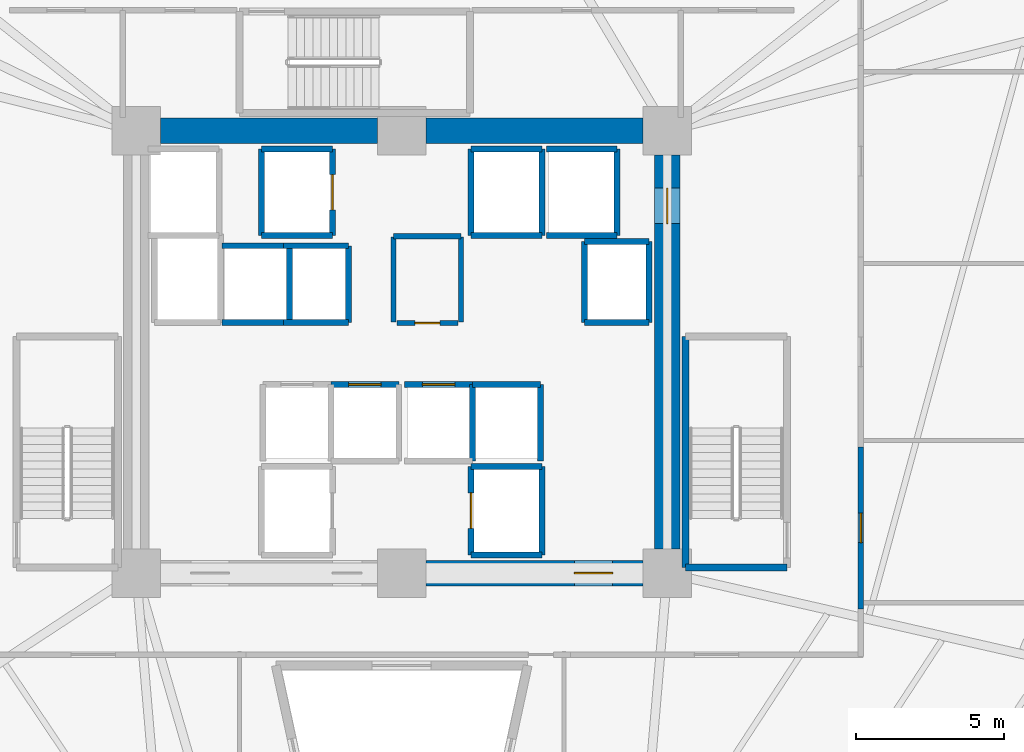
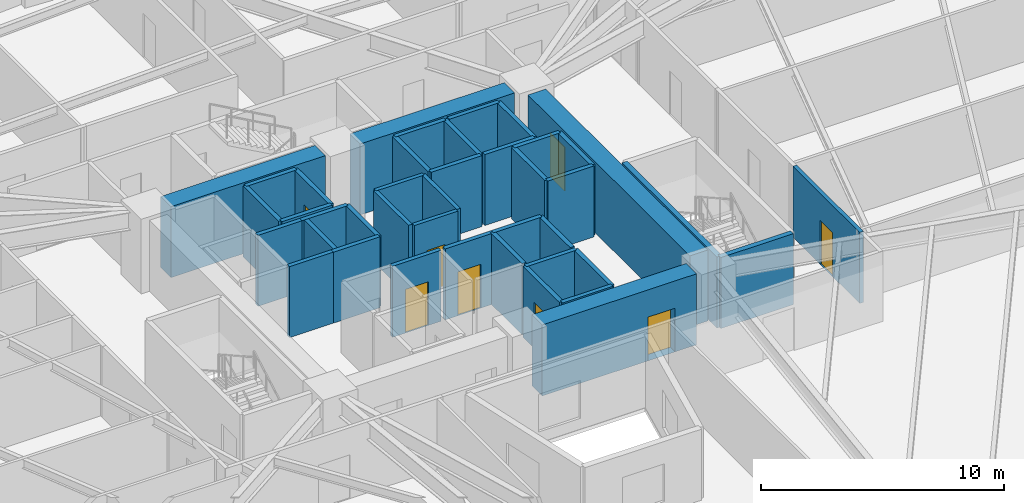
# One storey, part 5 of 9: 41 walls, 8 doors, 8 openings.
"""IFC4 building model written with IfcOpenShell, lengths in metres."""

from ifc_helpers import new_model, si_unit, direction, frame, frame_2d, origin, place, context, subcontext, project, spatial, rectangle, extrude, source, transform, mapped, material, layer, layer_set, type_object, element, fill, save


model = new_model("IFC4")

# Units and contexts
model_context = context("Model", 3, precision=1e-05, world=origin(), true_north=direction((0.0, 1.0)))
body_context = subcontext(model_context, "Body", "Model", "MODEL_VIEW")
ifc_project = project(units=[si_unit("LENGTHUNIT", "METRE"), si_unit("AREAUNIT", "SQUARE_METRE"), si_unit("VOLUMEUNIT", "CUBIC_METRE"), si_unit("PLANEANGLEUNIT", "RADIAN"), si_unit("MASSUNIT", "GRAM", prefix="KILO")], contexts=[model_context])

# Site, building, storey
site_placement = place(None, origin())
site = spatial("IfcSite", under=ifc_project, at=site_placement, CompositionType="ELEMENT")
building_placement = place(site_placement, origin())
building = spatial("IfcBuilding", under=site, at=building_placement, Name="Liaohun Quay Tower", CompositionType="ELEMENT")
storey_placement = place(building_placement, frame((0.0, 0.0, 74.25)))
storey = spatial("IfcBuildingStorey", under=building, at=storey_placement, Name="L19", CompositionType="ELEMENT", Elevation=74.25)

# Walls
ifc_material_1 = material(Name="Concrete C60", Category="concrete")
ifc_layer_1 = layer(ifc_material_1, 0.85009765625, Name="Concrete C60", Category="concrete")
ifc_layer_set_1 = layer_set([ifc_layer_1], Name="Concrete C60")
wall_type_1 = type_object("IfcWallType", Name="WAL-COR-Z1", PredefinedType="SHEAR", material=ifc_layer_set_1)
for number, where, z_axis, x_axis, name in (
    (1, (51.824951171875, 61.5, 0.0), (0.0, 0.0, 1.0), (1.0, 0.0, 0.0), "L19 Central Core Shear Wall N-W"),
    (2, (60.824951171875, 61.5, 0.0), (0.0, 0.0, 1.0), (1.0, 0.0, 0.0), "L19 Central Core Shear Wall N-E"),
):
    element("IfcWall", number, at=place(storey_placement, frame(where, z_axis=z_axis, x_axis=x_axis)), inside=storey, type_object=wall_type_1, Name=name, PredefinedType="SHEAR", context=body_context, shape_type="SweptSolid", body=[
        extrude(rectangle(XDim=7.35009765625, YDim=0.85009765625, at=frame_2d((3.675048828125, 0.0))), origin(), (0.0, 0.0, 1.0), 3.570068359375),
    ])

# Wall, opening, door
wall_1_placement = place(storey_placement, frame((69.0, 60.675048828125, 0.0), z_axis=(0.0, 0.0, 1.0), x_axis=(0.0, -1.0, 0.0)))
wall_1 = element("IfcWall", 3, at=wall_1_placement, inside=storey, type_object=wall_type_1, Name="L19 Central Core Shear Wall E", PredefinedType="SHEAR", context=body_context, shape_type="SweptSolid", body=[
    extrude(rectangle(XDim=13.35009765625, YDim=0.85009765625, at=frame_2d((6.675048828125, 0.0))), origin(), (0.0, 0.0, 1.0), 3.570068359375),
])
shared_shape_1 = source(origin(), body_context, "Body", "SweptSolid", [
    extrude(rectangle(XDim=1.199951171875, YDim=2.199951171875, at=frame_2d((0.60009765625, 1.10009765625))), frame((0.0, 0.43505859375, 0.0), z_axis=(0.0, -1.0, 0.0), x_axis=(1.0, 0.0, 0.0)), (0.0, 0.0, 1.0), 0.8701171875),
])
opening_1_placement = place(wall_1_placement, frame((1.125, 0.0, 0.0)))
opening_1 = element("IfcOpeningElement", 4, at=opening_1_placement, cuts=wall_1, Name="Opening SD1", PredefinedType="OPENING", context=body_context, shape_type="MappedRepresentation", body=[
    mapped(shared_shape_1, transform((0.0, 0.0, 0.0), x_axis=(1.0, 0.0, 0.0), y_axis=(0.0, 1.0, 0.0), z_axis=(0.0, 0.0, 1.0), scale=1.0)),
])
ifc_material_2 = material(Name="Galvanised steel fire door", Category="steel")
door_type_1 = type_object("IfcDoorType", Name="DOR-STR-1200", OperationType="NOTDEFINED", PredefinedType="DOOR", material=ifc_material_2)
shared_shape_2 = source(origin(), body_context, "Body", "SweptSolid", [
    extrude(rectangle(XDim=1.199951171875, YDim=2.199951171875, at=frame_2d((0.60009765625, 1.10009765625))), frame((0.0, 0.02490234375, 0.0), z_axis=(0.0, -1.0, 0.0), x_axis=(1.0, 0.0, 0.0)), (0.0, 0.0, 1.0), 0.050048828125),
])
door_1_placement = place(opening_1_placement, origin())
door_1 = element("IfcDoor", 5, at=door_1_placement, inside=storey, type_object=door_type_1, Name="L19 North-East Core Lobby Smokeproof Door", OperationType="SINGLE_SWING_LEFT", OverallHeight=2.199951171875, OverallWidth=1.199951171875, PredefinedType="DOOR", context=body_context, shape_type="MappedRepresentation", body=[
    mapped(shared_shape_2, transform((0.0, 0.0, 0.0), x_axis=(1.0, 0.0, 0.0), y_axis=(0.0, 1.0, 0.0), z_axis=(0.0, 0.0, 1.0), scale=1.0)),
])
fill(opening_1, door_1)

wall_2_placement = place(storey_placement, frame((68.175048828125, 46.5, 0.0), z_axis=(0.0, 0.0, 1.0), x_axis=(-1.0, 0.0, 0.0)))
wall_2 = element("IfcWall", 6, at=wall_2_placement, inside=storey, type_object=wall_type_1, Name="L19 Central Core Shear Wall S-E", PredefinedType="SHEAR", context=body_context, shape_type="SweptSolid", body=[
    extrude(rectangle(XDim=7.35009765625, YDim=0.85009765625, at=frame_2d((3.675048828125, 0.0))), origin(), (0.0, 0.0, 1.0), 3.570068359375),
])
shared_shape_3 = source(origin(), body_context, "Body", "SweptSolid", [
    extrude(rectangle(XDim=1.300048828125, YDim=2.199951171875, at=frame_2d((0.64990234375, 1.10009765625))), frame((0.0, 0.43505859375, 0.0), z_axis=(0.0, -1.0, 0.0), x_axis=(1.0, 0.0, 0.0)), (0.0, 0.0, 1.0), 0.8701171875),
])
opening_2_placement = place(wall_2_placement, frame((1.02490234375, 0.0, 0.0)))
opening_2 = element("IfcOpeningElement", 7, at=opening_2_placement, cuts=wall_2, Name="Opening FD1", PredefinedType="OPENING", context=body_context, shape_type="MappedRepresentation", body=[
    mapped(shared_shape_3, transform((0.0, 0.0, 0.0), x_axis=(1.0, 0.0, 0.0), y_axis=(0.0, 1.0, 0.0), z_axis=(0.0, 0.0, 1.0), scale=1.0)),
])
ifc_material_3 = material(Name="Galvanised steel smokeproof fire door", Category="steel")
door_type_2 = type_object("IfcDoorType", Name="DOR-FFL-1300", OperationType="NOTDEFINED", PredefinedType="DOOR", material=ifc_material_3)
shared_shape_4 = source(origin(), body_context, "Body", "SweptSolid", [
    extrude(rectangle(XDim=1.300048828125, YDim=2.199951171875, at=frame_2d((0.64990234375, 1.10009765625))), frame((0.0, 0.02490234375, 0.0), z_axis=(0.0, -1.0, 0.0), x_axis=(1.0, 0.0, 0.0)), (0.0, 0.0, 1.0), 0.050048828125),
])
door_2_placement = place(opening_2_placement, origin())
door_2 = element("IfcDoor", 8, at=door_2_placement, inside=storey, type_object=door_type_2, Name="L19 East Core Lift Lobby Smokeproof Door", OperationType="SINGLE_SWING_LEFT", OverallHeight=2.199951171875, OverallWidth=1.300048828125, PredefinedType="DOOR", context=body_context, shape_type="MappedRepresentation", body=[
    mapped(shared_shape_4, transform((0.0, 0.0, 0.0), x_axis=(1.0, 0.0, 0.0), y_axis=(0.0, 1.0, 0.0), z_axis=(0.0, 0.0, 1.0), scale=1.0)),
])
fill(opening_2, door_2)

ifc_material_4 = material(Name="Autoclaved aerated concrete blockwork", Category="masonry")
ifc_layer_2 = layer(ifc_material_4, 0.179931640625, Name="Autoclaved aerated concrete blockwork", Category="masonry")
ifc_layer_set_2 = layer_set([ifc_layer_2], Name="Autoclaved aerated concrete blockwork")
wall_type_2 = type_object("IfcWallType", Name="WAL-PRT-COR", PredefinedType="PARTITIONING", material=ifc_layer_set_2)
wall_3_placement = place(storey_placement, frame((59.840087890625, 54.97998046875, 0.0), z_axis=(0.0, 0.0, 1.0), x_axis=(1.0, 0.0, 0.0)))
wall_3 = element("IfcWall", 9, at=wall_3_placement, inside=storey, type_object=wall_type_2, Name="L19 Interior Partition Wall 001", PredefinedType="PARTITIONING", context=body_context, shape_type="SweptSolid", body=[
    extrude(rectangle(XDim=2.059814453125, YDim=0.179931640625, at=frame_2d((1.02978515625, 0.0))), origin(), (0.0, 0.0, 1.0), 3.570068359375),
])
shared_shape_5 = source(origin(), body_context, "Body", "SweptSolid", [
    extrude(rectangle(XDim=0.85009765625, YDim=2.10009765625, at=frame_2d((0.425048828125, 1.050048828125))), frame((0.0, 0.099853515625, 0.0), z_axis=(0.0, -1.0, 0.0), x_axis=(1.0, 0.0, 0.0)), (0.0, 0.0, 1.0), 0.199951171875),
])
opening_3_placement = place(wall_3_placement, frame((0.60498046875, 0.0, 0.0)))
opening_3 = element("IfcOpeningElement", 10, at=opening_3_placement, cuts=wall_3, Name="Opening AD1", PredefinedType="OPENING", context=body_context, shape_type="MappedRepresentation", body=[
    mapped(shared_shape_5, transform((0.0, 0.0, 0.0), x_axis=(1.0, 0.0, 0.0), y_axis=(0.0, 1.0, 0.0), z_axis=(0.0, 0.0, 1.0), scale=1.0)),
])
ifc_material_5 = material(Name="Steel riser inspection fire door", Category="steel")
door_type_3 = type_object("IfcDoorType", Name="DOR-SHF-850", OperationType="NOTDEFINED", PredefinedType="DOOR", material=ifc_material_5)
shared_shape_6 = source(origin(), body_context, "Body", "SweptSolid", [
    extrude(rectangle(XDim=0.85009765625, YDim=2.10009765625, at=frame_2d((0.425048828125, 1.050048828125))), frame((0.0, 0.02490234375, 0.0), z_axis=(0.0, -1.0, 0.0), x_axis=(1.0, 0.0, 0.0)), (0.0, 0.0, 1.0), 0.050048828125),
])
door_3_placement = place(opening_3_placement, origin())
door_3 = element("IfcDoor", 11, at=door_3_placement, inside=storey, type_object=door_type_3, Name="L19 Core Electrical and Telecom Riser Room Door", OperationType="SINGLE_SWING_LEFT", OverallHeight=2.10009765625, OverallWidth=0.85009765625, PredefinedType="DOOR", context=body_context, shape_type="MappedRepresentation", body=[
    mapped(shared_shape_6, transform((0.0, 0.0, 0.0), x_axis=(1.0, 0.0, 0.0), y_axis=(0.0, 1.0, 0.0), z_axis=(0.0, 0.0, 1.0), scale=1.0)),
])
fill(opening_3, door_3)

wall_4_placement = place(storey_placement, frame((75.56005859375, 50.784912109375, 0.0), z_axis=(0.0, 0.0, 1.0), x_axis=(0.0, -1.0, 0.0)))
wall_4 = element("IfcWall", 12, at=wall_4_placement, inside=storey, type_object=wall_type_2, Name="L19 Interior Partition Wall 022", PredefinedType="PARTITIONING", context=body_context, shape_type="SweptSolid", body=[
    extrude(rectangle(XDim=5.5, YDim=0.179931640625, at=frame_2d((2.75, 0.0))), origin(), (0.0, 0.0, 1.0), 3.570068359375),
])
shared_shape_7 = source(origin(), body_context, "Body", "SweptSolid", [
    extrude(rectangle(XDim=1.0, YDim=2.199951171875, at=frame_2d((0.5, 1.10009765625))), frame((0.0, 0.099853515625, 0.0), z_axis=(0.0, -1.0, 0.0), x_axis=(1.0, 0.0, 0.0)), (0.0, 0.0, 1.0), 0.199951171875),
])
opening_4_placement = place(wall_4_placement, frame((2.25, 0.0, 0.0)))
opening_4 = element("IfcOpeningElement", 13, at=opening_4_placement, cuts=wall_4, Name="Opening OD1", PredefinedType="OPENING", context=body_context, shape_type="MappedRepresentation", body=[
    mapped(shared_shape_7, transform((0.0, 0.0, 0.0), x_axis=(1.0, 0.0, 0.0), y_axis=(0.0, 1.0, 0.0), z_axis=(0.0, 0.0, 1.0), scale=1.0)),
])
ifc_material_6 = material(Name="Solid-core oak veneer timber leaf in steel frame", Category="steel")
door_type_4 = type_object("IfcDoorType", Name="DOR-OFF-1000", OperationType="NOTDEFINED", PredefinedType="DOOR", material=ifc_material_6)
shared_shape_8 = source(origin(), body_context, "Body", "SweptSolid", [
    extrude(rectangle(XDim=1.0, YDim=2.199951171875, at=frame_2d((0.5, 1.10009765625))), frame((0.0, 0.02490234375, 0.0), z_axis=(0.0, -1.0, 0.0), x_axis=(1.0, 0.0, 0.0)), (0.0, 0.0, 1.0), 0.050048828125),
])
door_4_placement = place(opening_4_placement, origin())
door_4 = element("IfcDoor", 14, at=door_4_placement, inside=storey, type_object=door_type_4, Name="L19 Project Operations Office 14 Door", OperationType="SINGLE_SWING_RIGHT", OverallHeight=2.199951171875, OverallWidth=1.0, PredefinedType="DOOR", context=body_context, shape_type="MappedRepresentation", body=[
    mapped(shared_shape_8, transform((0.0, 0.0, 0.0), x_axis=(1.0, 0.0, 0.0), y_axis=(0.0, 1.0, 0.0), z_axis=(0.0, 0.0, 1.0), scale=1.0)),
])
fill(opening_4, door_4)

# Walls
for number, where, z_axis, x_axis, name in (
    (15, (59.719970703125, 55.02001953125, 0.0), (0.0, 0.0, 1.0), (0.0, 1.0, 0.0), "L19 Interior Partition Wall 023"),
    (16, (62.010009765625, 55.02001953125, 0.0), (0.0, 0.0, 1.0), (0.0, 1.0, 0.0), "L19 Interior Partition Wall 024"),
):
    element("IfcWall", number, at=place(storey_placement, frame(where, z_axis=z_axis, x_axis=x_axis)), inside=storey, type_object=wall_type_2, Name=name, PredefinedType="PARTITIONING", context=body_context, shape_type="SweptSolid", body=[
        extrude(rectangle(XDim=2.8798828125, YDim=0.179931640625, at=frame_2d((1.43994140625, 0.0))), origin(), (0.0, 0.0, 1.0), 3.570068359375),
    ])
wall_5_placement = place(storey_placement, frame((59.719970703125, 57.919921875, 0.0), z_axis=(0.0, 0.0, 1.0), x_axis=(1.0, 0.0, 0.0)))
element("IfcWall", 17, at=wall_5_placement, inside=storey, type_object=wall_type_2, Name="L19 Interior Partition Wall 025", PredefinedType="PARTITIONING", context=body_context, shape_type="SweptSolid", body=[
    extrude(rectangle(XDim=2.2900390625, YDim=0.179931640625, at=frame_2d((1.14501953125, 0.0))), origin(), (0.0, 0.0, 1.0), 3.570068359375),
])
ifc_material_7 = material(Name="Concrete C50", Category="concrete")
ifc_layer_3 = layer(ifc_material_7, 0.239990234375, Name="Concrete C50", Category="concrete")
ifc_layer_set_3 = layer_set([ifc_layer_3], Name="Concrete C50")
wall_type_3 = type_object("IfcWallType", Name="WAL-SHF-200", PredefinedType="SOLIDWALL", material=ifc_layer_set_3)
wall_6_placement = place(storey_placement, frame((69.6201171875, 46.699951171875, 0.0), z_axis=(0.0, 0.0, 1.0), x_axis=(1.0, 0.0, 0.0)))
element("IfcWall", 18, at=wall_6_placement, inside=storey, type_object=wall_type_3, Name="L19 Stairwell ST-2 Structural Core Wall S", PredefinedType="SOLIDWALL", context=body_context, shape_type="SweptSolid", body=[
    extrude(rectangle(XDim=3.43994140625, YDim=0.239990234375, at=frame_2d((1.719970703125, 0.0))), origin(), (0.0, 0.0, 1.0), 3.570068359375),
])
wall_7_placement = place(storey_placement, frame((69.6201171875, 54.52001953125, 0.0), z_axis=(0.0, 0.0, 1.0), x_axis=(0.0, -1.0, 0.0)))
element("IfcWall", 19, at=wall_7_placement, inside=storey, type_object=wall_type_3, Name="L19 Stairwell ST-2 Structural Core Wall W", PredefinedType="SOLIDWALL", context=body_context, shape_type="SweptSolid", body=[
    extrude(rectangle(XDim=7.820068359375, YDim=0.239990234375, at=frame_2d((3.91015625, 0.0))), origin(), (0.0, 0.0, 1.0), 3.570068359375),
])
wall_8_placement = place(storey_placement, frame((62.35009765625, 47.1201171875, 0.0), z_axis=(0.0, 0.0, 1.0), x_axis=(1.0, 0.0, 0.0)))
element("IfcWall", 20, at=wall_8_placement, inside=storey, type_object=wall_type_3, Name="L19 Lift FF-02 Hoistway Wall S", PredefinedType="SOLIDWALL", context=body_context, shape_type="SweptSolid", body=[
    extrude(rectangle(XDim=2.39990234375, YDim=0.199951171875, at=frame_2d((1.199951171875, 0.0))), origin(), (0.0, 0.0, 1.0), 3.570068359375),
])
wall_9_placement = place(storey_placement, frame((64.75, 47.1201171875, 0.0), z_axis=(0.0, 0.0, 1.0), x_axis=(0.0, 1.0, 0.0)))
element("IfcWall", 21, at=wall_9_placement, inside=storey, type_object=wall_type_3, Name="L19 Lift FF-02 Hoistway Wall E", PredefinedType="SOLIDWALL", context=body_context, shape_type="SweptSolid", body=[
    extrude(rectangle(XDim=3.0, YDim=0.199951171875, at=frame_2d((1.5, 0.0))), origin(), (0.0, 0.0, 1.0), 3.570068359375),
])
wall_10_placement = place(storey_placement, frame((64.75, 50.1201171875, 0.0), z_axis=(0.0, 0.0, 1.0), x_axis=(-1.0, 0.0, 0.0)))
element("IfcWall", 22, at=wall_10_placement, inside=storey, type_object=wall_type_3, Name="L19 Lift FF-02 Hoistway Wall N", PredefinedType="SOLIDWALL", context=body_context, shape_type="SweptSolid", body=[
    extrude(rectangle(XDim=2.39990234375, YDim=0.199951171875, at=frame_2d((1.199951171875, 0.0))), origin(), (0.0, 0.0, 1.0), 3.570068359375),
])

# Wall, opening, door
wall_11_placement = place(storey_placement, frame((62.35009765625, 50.1201171875, 0.0), z_axis=(0.0, 0.0, 1.0), x_axis=(0.0, -1.0, 0.0)))
wall_11 = element("IfcWall", 23, at=wall_11_placement, inside=storey, type_object=wall_type_3, Name="L19 Lift FF-02 Hoistway Wall W", PredefinedType="SOLIDWALL", context=body_context, shape_type="SweptSolid", body=[
    extrude(rectangle(XDim=3.0, YDim=0.199951171875, at=frame_2d((1.5, 0.0))), origin(), (0.0, 0.0, 1.0), 3.570068359375),
])
shared_shape_9 = source(origin(), body_context, "Body", "SweptSolid", [
    extrude(rectangle(XDim=1.199951171875, YDim=2.300048828125, at=frame_2d((0.60009765625, 1.14990234375))), frame((0.0, 0.10986328125, 0.0), z_axis=(0.0, -1.0, 0.0), x_axis=(1.0, 0.0, 0.0)), (0.0, 0.0, 1.0), 0.219970703125),
])
opening_5_placement = place(wall_11_placement, frame((0.89990234375, 0.0, 0.0)))
opening_5 = element("IfcOpeningElement", 24, at=opening_5_placement, cuts=wall_11, Name="Opening LD2", PredefinedType="OPENING", context=body_context, shape_type="MappedRepresentation", body=[
    mapped(shared_shape_9, transform((0.0, 0.0, 0.0), x_axis=(1.0, 0.0, 0.0), y_axis=(0.0, 1.0, 0.0), z_axis=(0.0, 0.0, 1.0), scale=1.0)),
])
ifc_material_8 = material(Name="Brushed stainless steel stretcher landing door", Category="steel")
door_type_5 = type_object("IfcDoorType", Name="DOR-LFT-1200", OperationType="SLIDING_TO_LEFT", PredefinedType="DOOR", material=ifc_material_8)
shared_shape_10 = source(origin(), body_context, "Body", "SweptSolid", [
    extrude(rectangle(XDim=1.199951171875, YDim=2.300048828125, at=frame_2d((0.60009765625, 1.14990234375))), frame((0.0, 0.02490234375, 0.0), z_axis=(0.0, -1.0, 0.0), x_axis=(1.0, 0.0, 0.0)), (0.0, 0.0, 1.0), 0.050048828125),
])
door_5_placement = place(opening_5_placement, origin())
door_5 = element("IfcDoor", 25, at=door_5_placement, inside=storey, type_object=door_type_5, Name="L19 Lift FF-02 Sliding Landing Door", OperationType="SLIDING_TO_LEFT", OverallHeight=2.300048828125, OverallWidth=1.199951171875, PredefinedType="DOOR", context=body_context, shape_type="MappedRepresentation", body=[
    mapped(shared_shape_10, transform((0.0, 0.0, 0.0), x_axis=(1.0, 0.0, 0.0), y_axis=(0.0, 1.0, 0.0), z_axis=(0.0, 0.0, 1.0), scale=1.0)),
])
fill(opening_5, door_5)

# Wall
wall_12_placement = place(storey_placement, frame((55.25, 57.949951171875, 0.0), z_axis=(0.0, 0.0, 1.0), x_axis=(1.0, 0.0, 0.0)))
element("IfcWall", 26, at=wall_12_placement, inside=storey, type_object=wall_type_3, Name="L19 Lift FF-03 Hoistway Wall S", PredefinedType="SOLIDWALL", context=body_context, shape_type="SweptSolid", body=[
    extrude(rectangle(XDim=2.39990234375, YDim=0.199951171875, at=frame_2d((1.199951171875, 0.0))), origin(), (0.0, 0.0, 1.0), 3.570068359375),
])

# Wall, opening, door
wall_13_placement = place(storey_placement, frame((57.64990234375, 57.949951171875, 0.0), z_axis=(0.0, 0.0, 1.0), x_axis=(0.0, 1.0, 0.0)))
wall_13 = element("IfcWall", 27, at=wall_13_placement, inside=storey, type_object=wall_type_3, Name="L19 Lift FF-03 Hoistway Wall E", PredefinedType="SOLIDWALL", context=body_context, shape_type="SweptSolid", body=[
    extrude(rectangle(XDim=2.929931640625, YDim=0.199951171875, at=frame_2d((1.46484375, 0.0))), origin(), (0.0, 0.0, 1.0), 3.570068359375),
])
opening_6_placement = place(wall_13_placement, frame((0.864990234375, 0.0, 0.0)))
opening_6 = element("IfcOpeningElement", 28, at=opening_6_placement, cuts=wall_13, Name="Opening LD2", PredefinedType="OPENING", context=body_context, shape_type="MappedRepresentation", body=[
    mapped(shared_shape_9, transform((0.0, 0.0, 0.0), x_axis=(1.0, 0.0, 0.0), y_axis=(0.0, 1.0, 0.0), z_axis=(0.0, 0.0, 1.0), scale=1.0)),
])
door_6_placement = place(opening_6_placement, origin())
door_6 = element("IfcDoor", 29, at=door_6_placement, inside=storey, type_object=door_type_5, Name="L19 Lift FF-03 Sliding Landing Door", OperationType="SLIDING_TO_LEFT", OverallHeight=2.300048828125, OverallWidth=1.199951171875, PredefinedType="DOOR", context=body_context, shape_type="MappedRepresentation", body=[
    mapped(shared_shape_10, transform((0.0, 0.0, 0.0), x_axis=(1.0, 0.0, 0.0), y_axis=(0.0, 1.0, 0.0), z_axis=(0.0, 0.0, 1.0), scale=1.0)),
])
fill(opening_6, door_6)

# Walls
wall_14_placement = place(storey_placement, frame((57.64990234375, 60.8798828125, 0.0), z_axis=(0.0, 0.0, 1.0), x_axis=(-1.0, 0.0, 0.0)))
element("IfcWall", 30, at=wall_14_placement, inside=storey, type_object=wall_type_3, Name="L19 Lift FF-03 Hoistway Wall N", PredefinedType="SOLIDWALL", context=body_context, shape_type="SweptSolid", body=[
    extrude(rectangle(XDim=2.39990234375, YDim=0.199951171875, at=frame_2d((1.199951171875, 0.0))), origin(), (0.0, 0.0, 1.0), 3.570068359375),
])
wall_15_placement = place(storey_placement, frame((55.25, 60.8798828125, 0.0), z_axis=(0.0, 0.0, 1.0), x_axis=(0.0, -1.0, 0.0)))
element("IfcWall", 31, at=wall_15_placement, inside=storey, type_object=wall_type_3, Name="L19 Lift FF-03 Hoistway Wall W", PredefinedType="SOLIDWALL", context=body_context, shape_type="SweptSolid", body=[
    extrude(rectangle(XDim=2.929931640625, YDim=0.199951171875, at=frame_2d((1.46484375, 0.0))), origin(), (0.0, 0.0, 1.0), 3.570068359375),
])
wall_16_placement = place(storey_placement, frame((62.35009765625, 57.949951171875, 0.0), z_axis=(0.0, 0.0, 1.0), x_axis=(1.0, 0.0, 0.0)))
element("IfcWall", 32, at=wall_16_placement, inside=storey, type_object=wall_type_3, Name="L19 Lift OB-01 Hoistway Wall S", PredefinedType="SOLIDWALL", context=body_context, shape_type="SweptSolid", body=[
    extrude(rectangle(XDim=2.39990234375, YDim=0.199951171875, at=frame_2d((1.199951171875, 0.0))), origin(), (0.0, 0.0, 1.0), 3.570068359375),
])
wall_17_placement = place(storey_placement, frame((64.75, 57.949951171875, 0.0), z_axis=(0.0, 0.0, 1.0), x_axis=(0.0, 1.0, 0.0)))
element("IfcWall", 33, at=wall_17_placement, inside=storey, type_object=wall_type_3, Name="L19 Lift OB-01 Hoistway Wall E", PredefinedType="SOLIDWALL", context=body_context, shape_type="SweptSolid", body=[
    extrude(rectangle(XDim=2.929931640625, YDim=0.199951171875, at=frame_2d((1.46484375, 0.0))), origin(), (0.0, 0.0, 1.0), 3.570068359375),
])
wall_18_placement = place(storey_placement, frame((64.75, 60.8798828125, 0.0), z_axis=(0.0, 0.0, 1.0), x_axis=(-1.0, 0.0, 0.0)))
element("IfcWall", 34, at=wall_18_placement, inside=storey, type_object=wall_type_3, Name="L19 Lift OB-01 Hoistway Wall N", PredefinedType="SOLIDWALL", context=body_context, shape_type="SweptSolid", body=[
    extrude(rectangle(XDim=2.39990234375, YDim=0.199951171875, at=frame_2d((1.199951171875, 0.0))), origin(), (0.0, 0.0, 1.0), 3.570068359375),
])
wall_19_placement = place(storey_placement, frame((62.35009765625, 60.8798828125, 0.0), z_axis=(0.0, 0.0, 1.0), x_axis=(0.0, -1.0, 0.0)))
element("IfcWall", 35, at=wall_19_placement, inside=storey, type_object=wall_type_3, Name="L19 Lift OB-01 Hoistway Wall W", PredefinedType="SOLIDWALL", context=body_context, shape_type="SweptSolid", body=[
    extrude(rectangle(XDim=2.929931640625, YDim=0.199951171875, at=frame_2d((1.46484375, 0.0))), origin(), (0.0, 0.0, 1.0), 3.570068359375),
])
wall_20_placement = place(storey_placement, frame((64.89990234375, 57.949951171875, 0.0), z_axis=(0.0, 0.0, 1.0), x_axis=(1.0, 0.0, 0.0)))
element("IfcWall", 36, at=wall_20_placement, inside=storey, type_object=wall_type_3, Name="L19 Lift OB-02 Hoistway Wall S", PredefinedType="SOLIDWALL", context=body_context, shape_type="SweptSolid", body=[
    extrude(rectangle(XDim=2.400146484375, YDim=0.199951171875, at=frame_2d((1.2001953125, 0.0))), origin(), (0.0, 0.0, 1.0), 3.570068359375),
])
wall_21_placement = place(storey_placement, frame((67.300048828125, 57.949951171875, 0.0), z_axis=(0.0, 0.0, 1.0), x_axis=(0.0, 1.0, 0.0)))
element("IfcWall", 37, at=wall_21_placement, inside=storey, type_object=wall_type_3, Name="L19 Lift OB-02 Hoistway Wall E", PredefinedType="SOLIDWALL", context=body_context, shape_type="SweptSolid", body=[
    extrude(rectangle(XDim=2.929931640625, YDim=0.199951171875, at=frame_2d((1.46484375, 0.0))), origin(), (0.0, 0.0, 1.0), 3.570068359375),
])
wall_22_placement = place(storey_placement, frame((67.300048828125, 60.8798828125, 0.0), z_axis=(0.0, 0.0, 1.0), x_axis=(-1.0, 0.0, 0.0)))
element("IfcWall", 38, at=wall_22_placement, inside=storey, type_object=wall_type_3, Name="L19 Lift OB-02 Hoistway Wall N", PredefinedType="SOLIDWALL", context=body_context, shape_type="SweptSolid", body=[
    extrude(rectangle(XDim=2.400146484375, YDim=0.199951171875, at=frame_2d((1.2001953125, 0.0))), origin(), (0.0, 0.0, 1.0), 3.570068359375),
])
wall_23_placement = place(storey_placement, frame((66.199951171875, 55.0, 0.0), z_axis=(0.0, 0.0, 1.0), x_axis=(1.0, 0.0, 0.0)))
element("IfcWall", 39, at=wall_23_placement, inside=storey, type_object=wall_type_3, Name="L19 Lift SH-03 Hoistway Wall S", PredefinedType="SOLIDWALL", context=body_context, shape_type="SweptSolid", body=[
    extrude(rectangle(XDim=2.179931640625, YDim=0.199951171875, at=frame_2d((1.08984375, 0.0))), origin(), (0.0, 0.0, 1.0), 3.570068359375),
])
wall_24_placement = place(storey_placement, frame((68.3798828125, 55.0, 0.0), z_axis=(0.0, 0.0, 1.0), x_axis=(0.0, 1.0, 0.0)))
element("IfcWall", 40, at=wall_24_placement, inside=storey, type_object=wall_type_3, Name="L19 Lift SH-03 Hoistway Wall E", PredefinedType="SOLIDWALL", context=body_context, shape_type="SweptSolid", body=[
    extrude(rectangle(XDim=2.75, YDim=0.199951171875, at=frame_2d((1.375, 0.0))), origin(), (0.0, 0.0, 1.0), 3.570068359375),
])
wall_25_placement = place(storey_placement, frame((68.3798828125, 57.75, 0.0), z_axis=(0.0, 0.0, 1.0), x_axis=(-1.0, 0.0, 0.0)))
element("IfcWall", 41, at=wall_25_placement, inside=storey, type_object=wall_type_3, Name="L19 Lift SH-03 Hoistway Wall N", PredefinedType="SOLIDWALL", context=body_context, shape_type="SweptSolid", body=[
    extrude(rectangle(XDim=2.179931640625, YDim=0.199951171875, at=frame_2d((1.08984375, 0.0))), origin(), (0.0, 0.0, 1.0), 3.570068359375),
])
wall_26_placement = place(storey_placement, frame((66.199951171875, 57.75, 0.0), z_axis=(0.0, 0.0, 1.0), x_axis=(0.0, -1.0, 0.0)))
element("IfcWall", 42, at=wall_26_placement, inside=storey, type_object=wall_type_3, Name="L19 Lift SH-03 Hoistway Wall W", PredefinedType="SOLIDWALL", context=body_context, shape_type="SweptSolid", body=[
    extrude(rectangle(XDim=2.75, YDim=0.199951171875, at=frame_2d((1.375, 0.0))), origin(), (0.0, 0.0, 1.0), 3.570068359375),
])

# Wall, opening, door
wall_27_placement = place(storey_placement, frame((59.89990234375, 52.89990234375, 0.0), z_axis=(0.0, 0.0, 1.0), x_axis=(-1.0, 0.0, 0.0)))
wall_27 = element("IfcWall", 43, at=wall_27_placement, inside=storey, type_object=wall_type_3, Name="L19 Lift PL-1B Hoistway Wall N", PredefinedType="SOLIDWALL", context=body_context, shape_type="SweptSolid", body=[
    extrude(rectangle(XDim=2.2998046875, YDim=0.199951171875, at=frame_2d((1.14990234375, 0.0))), origin(), (0.0, 0.0, 1.0), 3.570068359375),
])
shared_shape_11 = source(origin(), body_context, "Body", "SweptSolid", [
    extrude(rectangle(XDim=1.10009765625, YDim=2.199951171875, at=frame_2d((0.550048828125, 1.10009765625))), frame((0.0, 0.10986328125, 0.0), z_axis=(0.0, -1.0, 0.0), x_axis=(1.0, 0.0, 0.0)), (0.0, 0.0, 1.0), 0.219970703125),
])
opening_7_placement = place(wall_27_placement, frame((0.60009765625, 0.0, 0.0)))
opening_7 = element("IfcOpeningElement", 44, at=opening_7_placement, cuts=wall_27, Name="Opening LD1", PredefinedType="OPENING", context=body_context, shape_type="MappedRepresentation", body=[
    mapped(shared_shape_11, transform((0.0, 0.0, 0.0), x_axis=(1.0, 0.0, 0.0), y_axis=(0.0, 1.0, 0.0), z_axis=(0.0, 0.0, 1.0), scale=1.0)),
])
ifc_material_9 = material(Name="Brushed stainless steel landing door", Category="steel")
door_type_6 = type_object("IfcDoorType", Name="DOR-LFT-1100", OperationType="SLIDING_TO_LEFT", PredefinedType="DOOR", material=ifc_material_9)
shared_shape_12 = source(origin(), body_context, "Body", "SweptSolid", [
    extrude(rectangle(XDim=1.10009765625, YDim=2.199951171875, at=frame_2d((0.550048828125, 1.10009765625))), frame((0.0, 0.02490234375, 0.0), z_axis=(0.0, -1.0, 0.0), x_axis=(1.0, 0.0, 0.0)), (0.0, 0.0, 1.0), 0.050048828125),
])
door_7_placement = place(opening_7_placement, origin())
door_7 = element("IfcDoor", 45, at=door_7_placement, inside=storey, type_object=door_type_6, Name="L19 Lift PL-1B Sliding Landing Door", OperationType="SLIDING_TO_LEFT", OverallHeight=2.199951171875, OverallWidth=1.10009765625, PredefinedType="DOOR", context=body_context, shape_type="MappedRepresentation", body=[
    mapped(shared_shape_12, transform((0.0, 0.0, 0.0), x_axis=(1.0, 0.0, 0.0), y_axis=(0.0, 1.0, 0.0), z_axis=(0.0, 0.0, 1.0), scale=1.0)),
])
fill(opening_7, door_7)

# Wall
wall_28_placement = place(storey_placement, frame((62.39990234375, 50.300048828125, 0.0), z_axis=(0.0, 0.0, 1.0), x_axis=(0.0, 1.0, 0.0)))
element("IfcWall", 46, at=wall_28_placement, inside=storey, type_object=wall_type_3, Name="L19 Lift PL-1C Hoistway Wall E", PredefinedType="SOLIDWALL", context=body_context, shape_type="SweptSolid", body=[
    extrude(rectangle(XDim=2.599853515625, YDim=0.199951171875, at=frame_2d((1.2998046875, 0.0))), origin(), (0.0, 0.0, 1.0), 3.570068359375),
])

# Wall, opening, door
wall_29_placement = place(storey_placement, frame((62.39990234375, 52.89990234375, 0.0), z_axis=(0.0, 0.0, 1.0), x_axis=(-1.0, 0.0, 0.0)))
wall_29 = element("IfcWall", 47, at=wall_29_placement, inside=storey, type_object=wall_type_3, Name="L19 Lift PL-1C Hoistway Wall N", PredefinedType="SOLIDWALL", context=body_context, shape_type="SweptSolid", body=[
    extrude(rectangle(XDim=2.2998046875, YDim=0.199951171875, at=frame_2d((1.14990234375, 0.0))), origin(), (0.0, 0.0, 1.0), 3.570068359375),
])
opening_8_placement = place(wall_29_placement, frame((0.60009765625, 0.0, 0.0)))
opening_8 = element("IfcOpeningElement", 48, at=opening_8_placement, cuts=wall_29, Name="Opening LD1", PredefinedType="OPENING", context=body_context, shape_type="MappedRepresentation", body=[
    mapped(shared_shape_11, transform((0.0, 0.0, 0.0), x_axis=(1.0, 0.0, 0.0), y_axis=(0.0, 1.0, 0.0), z_axis=(0.0, 0.0, 1.0), scale=1.0)),
])
door_8_placement = place(opening_8_placement, origin())
door_8 = element("IfcDoor", 49, at=door_8_placement, inside=storey, type_object=door_type_6, Name="L19 Lift PL-1C Sliding Landing Door", OperationType="SLIDING_TO_LEFT", OverallHeight=2.199951171875, OverallWidth=1.10009765625, PredefinedType="DOOR", context=body_context, shape_type="MappedRepresentation", body=[
    mapped(shared_shape_12, transform((0.0, 0.0, 0.0), x_axis=(1.0, 0.0, 0.0), y_axis=(0.0, 1.0, 0.0), z_axis=(0.0, 0.0, 1.0), scale=1.0)),
])
fill(opening_8, door_8)

# Walls
wall_30_placement = place(storey_placement, frame((64.699951171875, 50.300048828125, 0.0), z_axis=(0.0, 0.0, 1.0), x_axis=(0.0, 1.0, 0.0)))
element("IfcWall", 50, at=wall_30_placement, inside=storey, type_object=wall_type_3, Name="L19 Lift PL-2A Hoistway Wall E", PredefinedType="SOLIDWALL", context=body_context, shape_type="SweptSolid", body=[
    extrude(rectangle(XDim=2.599853515625, YDim=0.199951171875, at=frame_2d((1.2998046875, 0.0))), origin(), (0.0, 0.0, 1.0), 3.570068359375),
])
for number, where, z_axis, x_axis, name in (
    (51, (64.699951171875, 52.89990234375, 0.0), (0.0, 0.0, 1.0), (-1.0, 0.0, 0.0), "L19 Lift PL-2A Hoistway Wall N"),
    (52, (53.89990234375, 55.0, 0.0), (0.0, 0.0, 1.0), (1.0, 0.0, 0.0), "L19 Lift PL-2B Hoistway Wall S"),
):
    element("IfcWall", number, at=place(storey_placement, frame(where, z_axis=z_axis, x_axis=x_axis)), inside=storey, type_object=wall_type_3, Name=name, PredefinedType="SOLIDWALL", context=body_context, shape_type="SweptSolid", body=[
        extrude(rectangle(XDim=2.300048828125, YDim=0.199951171875, at=frame_2d((1.14990234375, 0.0))), origin(), (0.0, 0.0, 1.0), 3.570068359375),
    ])
wall_31_placement = place(storey_placement, frame((56.199951171875, 55.0, 0.0), z_axis=(0.0, 0.0, 1.0), x_axis=(0.0, 1.0, 0.0)))
element("IfcWall", 53, at=wall_31_placement, inside=storey, type_object=wall_type_3, Name="L19 Lift PL-2B Hoistway Wall E", PredefinedType="SOLIDWALL", context=body_context, shape_type="SweptSolid", body=[
    extrude(rectangle(XDim=2.60009765625, YDim=0.199951171875, at=frame_2d((1.300048828125, 0.0))), origin(), (0.0, 0.0, 1.0), 3.570068359375),
])
wall_32_placement = place(storey_placement, frame((56.199951171875, 57.60009765625, 0.0), z_axis=(0.0, 0.0, 1.0), x_axis=(-1.0, 0.0, 0.0)))
element("IfcWall", 54, at=wall_32_placement, inside=storey, type_object=wall_type_3, Name="L19 Lift PL-2B Hoistway Wall N", PredefinedType="SOLIDWALL", context=body_context, shape_type="SweptSolid", body=[
    extrude(rectangle(XDim=2.300048828125, YDim=0.199951171875, at=frame_2d((1.14990234375, 0.0))), origin(), (0.0, 0.0, 1.0), 3.570068359375),
])
wall_33_placement = place(storey_placement, frame((56.0, 55.0, 0.0), z_axis=(0.0, 0.0, 1.0), x_axis=(1.0, 0.0, 0.0)))
element("IfcWall", 55, at=wall_33_placement, inside=storey, type_object=wall_type_3, Name="L19 Lift PL-2C Hoistway Wall S", PredefinedType="SOLIDWALL", context=body_context, shape_type="SweptSolid", body=[
    extrude(rectangle(XDim=2.199951171875, YDim=0.199951171875, at=frame_2d((1.10009765625, 0.0))), origin(), (0.0, 0.0, 1.0), 3.570068359375),
])
wall_34_placement = place(storey_placement, frame((58.199951171875, 55.0, 0.0), z_axis=(0.0, 0.0, 1.0), x_axis=(0.0, 1.0, 0.0)))
element("IfcWall", 56, at=wall_34_placement, inside=storey, type_object=wall_type_3, Name="L19 Lift PL-2C Hoistway Wall E", PredefinedType="SOLIDWALL", context=body_context, shape_type="SweptSolid", body=[
    extrude(rectangle(XDim=2.60009765625, YDim=0.199951171875, at=frame_2d((1.300048828125, 0.0))), origin(), (0.0, 0.0, 1.0), 3.570068359375),
])
wall_35_placement = place(storey_placement, frame((58.199951171875, 57.60009765625, 0.0), z_axis=(0.0, 0.0, 1.0), x_axis=(-1.0, 0.0, 0.0)))
element("IfcWall", 57, at=wall_35_placement, inside=storey, type_object=wall_type_3, Name="L19 Lift PL-2C Hoistway Wall N", PredefinedType="SOLIDWALL", context=body_context, shape_type="SweptSolid", body=[
    extrude(rectangle(XDim=2.199951171875, YDim=0.199951171875, at=frame_2d((1.10009765625, 0.0))), origin(), (0.0, 0.0, 1.0), 3.570068359375),
])

save(model, "model.ifc")
